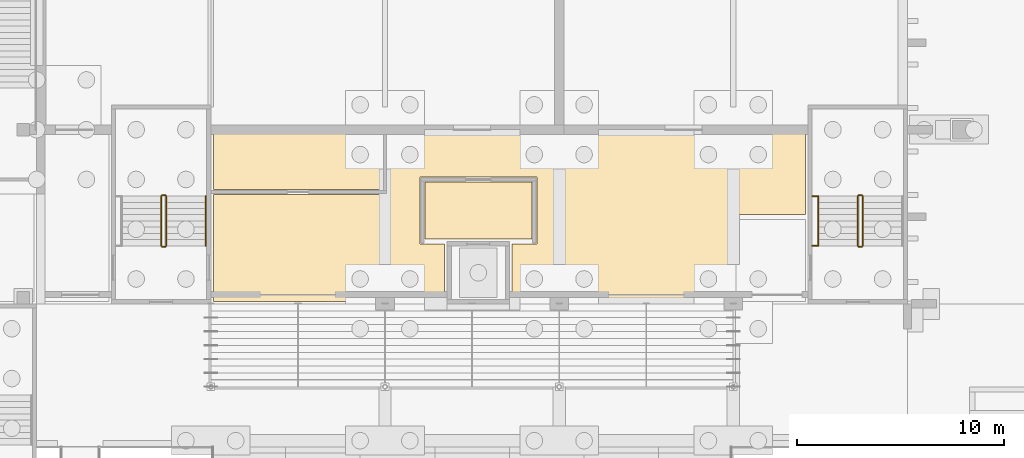
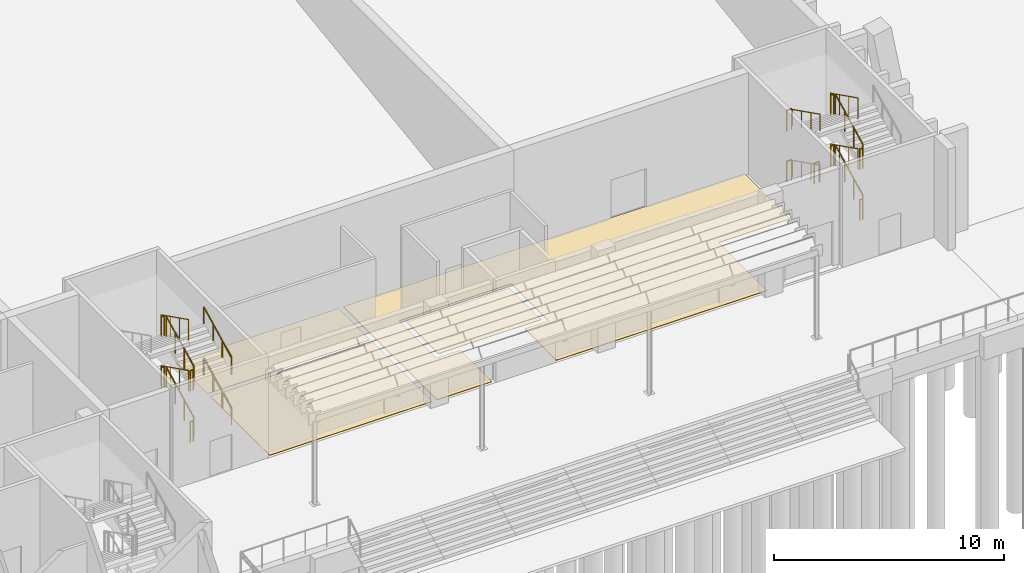
# One storey, part 112 of 129: 23 railings, 4 coverings.
"""IFC4 building model written with IfcOpenShell, lengths in metres."""

import ifcopenshell
import ifcopenshell.guid

model = None  # the IFC model being written
_history = None  # IfcOwnerHistory: only IFC2X3 demands one
_inside = {}  # id of a spatial element -> (the spatial element, [elements in it])
_under = {}  # id of a project, library or spatial element -> (it, [spatial elements below it])
_declared = {}  # id of a project -> (the project, [libraries it declares])
_typed = {}  # id of a type object -> (the type object, [elements of that type])
_made_of = {}  # id of a material, layer set ... -> (it, [elements and type objects made of it])


def new_model(schema):
    """Start an empty IFC model of exactly this schema.

    Asked for "IFC4X3", IfcOpenShell would pick the latest addendum, in which some entities
    have other attributes; the version numbers below select the first issue.
    IFC2X3 requires an IfcOwnerHistory on every rooted entity: one is made here for all.
    """
    global model, _history
    if schema == "IFC4X3":
        model = ifcopenshell.file(schema_version=(4, 3, 0, 0))
    else:
        model = ifcopenshell.file(schema=schema)
    _inside.clear()
    _under.clear()
    _declared.clear()
    _typed.clear()
    _made_of.clear()
    _history = None
    if model.schema == "IFC2X3":
        org = make("IfcOrganization", Name="unknown")
        user = make(
            "IfcPersonAndOrganization",
            ThePerson=make("IfcPerson", FamilyName="unknown"),
            TheOrganization=org,
        )
        app = make(
            "IfcApplication",
            ApplicationDeveloper=org,
            Version="unknown",
            ApplicationFullName="unknown",
            ApplicationIdentifier="unknown",
        )
        _history = make(
            "IfcOwnerHistory",
            OwningUser=user,
            OwningApplication=app,
            ChangeAction="ADDED",
            CreationDate=0,
        )
    return model


def make(cls, **values):
    """One entity of the class cls with the attributes given. An attribute that is None is left unset."""
    return model.create_entity(
        cls, **{name: value for name, value in values.items() if value is not None}
    )


def rooted(cls, **values):
    """An entity with a GlobalId (a new one), such as an element, a storey or a relation."""
    return make(cls, GlobalId=ifcopenshell.guid.new(), OwnerHistory=_history, **values)


def si_unit(unit_type, name, prefix=None):
    """IfcSIUnit, for example si_unit("LENGTHUNIT", "METRE", prefix="MILLI")."""
    return make("IfcSIUnit", UnitType=unit_type, Prefix=prefix, Name=name)


def assignment(units):
    """IfcUnitAssignment: the units of a project."""
    return None if units is None else make("IfcUnitAssignment", Units=units)


def point(xyz):
    """IfcCartesianPoint."""
    return None if xyz is None else make("IfcCartesianPoint", Coordinates=xyz)


def direction(xyz):
    """IfcDirection."""
    return None if xyz is None else make("IfcDirection", DirectionRatios=xyz)


def frame(location, z_axis=None, x_axis=None):
    """IfcAxis2Placement3D, a coordinate frame: its origin and axes. An axis left out is left unset."""
    return make(
        "IfcAxis2Placement3D",
        Location=point(location),
        Axis=direction(z_axis),
        RefDirection=direction(x_axis),
    )


def frame_2d(location, x_axis=None):
    """IfcAxis2Placement2D, a coordinate frame in the plane: its origin and x axis."""
    return make(
        "IfcAxis2Placement2D", Location=point(location), RefDirection=direction(x_axis)
    )


def origin():
    """The frame at (0, 0, 0) with its axes left unset."""
    return frame((0.0, 0.0, 0.0))


def origin_2d():
    """The frame at (0, 0) in the plane with its x axis left unset."""
    return frame_2d((0.0, 0.0))


def place(relative_to, where):
    """IfcLocalPlacement: puts the frame where relative to a parent placement (None: the world)."""
    return make(
        "IfcLocalPlacement", PlacementRelTo=relative_to, RelativePlacement=where
    )


def context(
    kind, dimensions, precision=None, world=None, true_north=None, identifier=None
):
    """IfcGeometricRepresentationContext, for example the 3D "Model" context."""
    return make(
        "IfcGeometricRepresentationContext",
        ContextIdentifier=identifier,
        ContextType=kind,
        CoordinateSpaceDimension=dimensions,
        Precision=precision,
        WorldCoordinateSystem=world,
        TrueNorth=true_north,
    )


def subcontext(parent, identifier, kind, view, scale=None):
    """IfcGeometricRepresentationSubContext, for example "Body" below "Model"."""
    return make(
        "IfcGeometricRepresentationSubContext",
        ContextIdentifier=identifier,
        ContextType=kind,
        ParentContext=parent,
        TargetScale=scale,
        TargetView=view,
    )


def project(units=None, contexts=None):
    """IfcProject with its units and contexts."""
    return rooted(
        "IfcProject",
        Name="project",
        RepresentationContexts=contexts,
        UnitsInContext=assignment(units),
    )


def spatial(cls, under=None, at=None, **own):
    """A site, building, storey or space (cls), placed at a placement, below another one or the project."""
    s = rooted(cls, ObjectPlacement=at, **own)
    if under is not None:
        _under.setdefault(under.id(), (under, []))[1].append(s)
    return s


def polyline(points):
    """IfcPolyline through the points."""
    return make("IfcPolyline", Points=[point(p) for p in points])


def profile(cls, at=None, kind="AREA", **sizes):
    """A parametric profile (cls). Its sizes go by their IFC names, for example OverallWidth=200.0."""
    return make(cls, ProfileType=kind, Position=at, **sizes)


def circle(**sizes):
    """IfcCircleProfileDef."""
    return profile("IfcCircleProfileDef", **sizes)


def outline(outer, holes=None, kind="AREA"):
    """IfcArbitraryClosedProfileDef: a profile drawn as a closed curve; with holes, ...WithVoids."""
    if holes is None:
        return make("IfcArbitraryClosedProfileDef", ProfileType=kind, OuterCurve=outer)
    return make(
        "IfcArbitraryProfileDefWithVoids",
        ProfileType=kind,
        OuterCurve=outer,
        InnerCurves=holes,
    )


def extrude(swept, where, along, depth):
    """IfcExtrudedAreaSolid: the profile swept, set in the frame where, extruded along a direction by depth."""
    return make(
        "IfcExtrudedAreaSolid",
        SweptArea=swept,
        Position=where,
        ExtrudedDirection=direction(along),
        Depth=depth,
    )


def shape(context_of_items, identifier, shape_type, items):
    """IfcShapeRepresentation: the items that make up one representation, for example the "Body"."""
    return make(
        "IfcShapeRepresentation",
        ContextOfItems=context_of_items,
        RepresentationIdentifier=identifier,
        RepresentationType=shape_type,
        Items=items,
    )


def material(Name=None, Category=None):
    """IfcMaterial."""
    return make("IfcMaterial", Name=Name, Category=Category)


def layer(
    of_material, thickness, ventilated=None, Name=None, Category=None, Priority=None
):
    """IfcMaterialLayer: one layer of a wall or slab, of a material (None: an air gap)."""
    return make(
        "IfcMaterialLayer",
        Material=of_material,
        LayerThickness=thickness,
        IsVentilated=ventilated,
        Name=Name,
        Category=Category,
        Priority=Priority,
    )


def layer_set(layers, Name=None):
    """IfcMaterialLayerSet."""
    return make("IfcMaterialLayerSet", MaterialLayers=layers, LayerSetName=Name)


def made_of(thing, what):
    """Note that an element or type object is made of a material, layer set ...; save() writes the relation."""
    if what is not None:
        _made_of.setdefault(what.id(), (what, []))[1].append(thing)
    return thing


def type_object(cls, material=None, **own):
    """A type object (cls), such as IfcWallType, which elements share."""
    return made_of(rooted(cls, **own), material)


def element(
    cls,
    number,
    at=None,
    inside=None,
    cuts=None,
    type_object=None,
    material=None,
    context=None,
    identifier="Body",
    shape_type=None,
    held_by="IfcProductDefinitionShape",
    body=None,
    shapes=None,
    **own,
):
    """One element of the class cls, such as IfcWall. Its Tag is "e" and its number.

    at: its placement. inside: the storey or other place that contains it. cuts: it is an
    opening in that element (IfcRelVoidsElement). A single representation is given by context,
    identifier, shape_type and body (its items); several are given by shapes. held_by: the class
    of the entity that holds the representations. save() writes the other relations.
    """
    e = rooted(cls, Tag="e%d" % number, ObjectPlacement=at, **own)
    if body is not None:
        shapes = [shape(context, identifier, shape_type, body)]
    if shapes is not None:
        e.Representation = make(held_by, Representations=shapes)
    if inside is not None:
        _inside.setdefault(inside.id(), (inside, []))[1].append(e)
    if cuts is not None:
        rooted(
            "IfcRelVoidsElement", RelatingBuildingElement=cuts, RelatedOpeningElement=e
        )
    if type_object is not None:
        _typed.setdefault(type_object.id(), (type_object, []))[1].append(e)
    return made_of(e, material)


def aggregate(whole, parts):
    """IfcRelAggregates: a whole, such as a stair, and the parts it consists of."""
    return rooted("IfcRelAggregates", RelatingObject=whole, RelatedObjects=parts)


def save(model, path):
    """Write the relations noted so far, then the file.

    IfcRelAggregates (storeys below a building ...), IfcRelContainedInSpatialStructure (elements
    in a storey), IfcRelDefinesByType, IfcRelAssociatesMaterial and IfcRelDeclares: one each for
    every whole, place, type object, material and project.
    """
    for whole, parts in _under.values():
        aggregate(whole, parts)
    for where, things in _inside.values():
        rooted(
            "IfcRelContainedInSpatialStructure",
            RelatedElements=things,
            RelatingStructure=where,
        )
    for kind, things in _typed.values():
        rooted("IfcRelDefinesByType", RelatedObjects=things, RelatingType=kind)
    for what, things in _made_of.values():
        rooted("IfcRelAssociatesMaterial", RelatedObjects=things, RelatingMaterial=what)
    for by, libraries in _declared.values():
        rooted("IfcRelDeclares", RelatingContext=by, RelatedDefinitions=libraries)
    model.write(path)


model = new_model("IFC4")

# Units and contexts
model_context = context("Model", 3, precision=1e-05, world=origin(), true_north=direction((0.0, 1.0)))
body_context = subcontext(model_context, "Body", "Model", "MODEL_VIEW")
ifc_project = project(units=[si_unit("LENGTHUNIT", "METRE"), si_unit("AREAUNIT", "SQUARE_METRE"), si_unit("VOLUMEUNIT", "CUBIC_METRE"), si_unit("PLANEANGLEUNIT", "RADIAN"), si_unit("MASSUNIT", "GRAM", prefix="KILO")], contexts=[model_context])

# Site, building, storey
site_placement = place(None, origin())
site = spatial("IfcSite", under=ifc_project, at=site_placement, CompositionType="ELEMENT")
building_placement = place(site_placement, origin())
building = spatial("IfcBuilding", under=site, at=building_placement, Name="Kiln Court Media Centre", CompositionType="ELEMENT")
storey_placement = place(building_placement, origin())
storey = spatial("IfcBuildingStorey", under=building, at=storey_placement, Name="L00", CompositionType="ELEMENT", Elevation=0.0)

# Coverings
ifc_material_1 = material(Name="Ceramic tile")
ifc_layer_1 = layer(ifc_material_1, 0.011962890625)
ifc_layer_set_1 = layer_set([ifc_layer_1], Name="Ceramic tile floor finish 12")
covering_type_1 = type_object("IfcCoveringType", Name="Ceramic tile floor finish 12", PredefinedType="FLOORING", material=ifc_layer_set_1)
covering_1_placement = place(storey_placement, origin())
element("IfcCovering", 1, at=covering_1_placement, inside=storey, type_object=covering_type_1, Name="Cinema Toilets floor finish", PredefinedType="FLOORING", context=body_context, shape_type="SweptSolid", body=[
    extrude(outline(polyline([(67.320068359375, 30.719970703125), (75.47998046875, 30.719970703125), (75.47998046875, 33.47998046875), (67.320068359375, 33.47998046875), (67.320068359375, 30.719970703125)])), origin(), (0.0, 0.0, 1.0), 0.011962890625),
])
ifc_material_2 = material(Name="Terrazzo")
ifc_layer_2 = layer(ifc_material_2, 0.02490234375)
ifc_layer_set_2 = layer_set([ifc_layer_2], Name="Polished terrazzo floor finish 25")
covering_type_2 = type_object("IfcCoveringType", Name="Polished terrazzo floor finish 25", PredefinedType="FLOORING", material=ifc_layer_set_2)
covering_2_placement = place(storey_placement, origin())
element("IfcCovering", 2, at=covering_2_placement, inside=storey, type_object=covering_type_2, Name="Cinema Foyer West floor finish", PredefinedType="FLOORING", context=body_context, shape_type="SweptSolid", body=[
    extrude(outline(polyline([(67.320068359375, 25.320068359375), (75.47998046875, 25.320068359375), (75.47998046875, 30.47998046875), (67.320068359375, 30.47998046875), (67.320068359375, 25.320068359375)])), origin(), (0.0, 0.0, 1.0), 0.02490234375),
])
covering_3_placement = place(storey_placement, origin())
element("IfcCovering", 3, at=covering_3_placement, inside=storey, type_object=covering_type_2, Name="Cinema Foyer floor finish", PredefinedType="FLOORING", context=body_context, shape_type="SweptSolid", body=[
    extrude(outline(polyline([(78.47998046875, 25.320068359375), (78.47998046875, 28.080078125), (77.280029296875, 28.080078125), (77.280029296875, 31.320068359375), (82.919921875, 31.320068359375), (82.919921875, 28.080078125), (81.719970703125, 28.080078125), (81.719970703125, 25.320068359375), (92.280029296875, 25.320068359375), (92.280029296875, 29.52001953125), (95.8798828125, 29.52001953125), (95.8798828125, 33.47998046875), (75.719970703125, 33.47998046875), (75.719970703125, 25.320068359375), (78.47998046875, 25.320068359375)])), origin(), (0.0, 0.0, 1.0), 0.02490234375),
])
covering_4_placement = place(storey_placement, origin())
element("IfcCovering", 4, at=covering_4_placement, inside=storey, type_object=covering_type_2, Name="Fire-fighting Lift Lobby floor finish", PredefinedType="FLOORING", context=body_context, shape_type="SweptSolid", body=[
    extrude(outline(polyline([(77.52001953125, 28.320068359375), (82.679931640625, 28.320068359375), (82.679931640625, 31.080078125), (77.52001953125, 31.080078125), (77.52001953125, 28.320068359375)])), origin(), (0.0, 0.0, 1.0), 0.02490234375),
])

# Railings
ifc_material_3 = material(Name="Steel S275", Category="steel")
railing_type_1 = type_object("IfcRailingType", Name="Steel S275 stair guard 1100", PredefinedType="GUARDRAIL", material=ifc_material_3)
railing_1_placement = place(storey_placement, frame((65.050048828125, 28.0, 0.14990234375)))
element("IfcRailing", 5, at=railing_1_placement, inside=storey, type_object=railing_type_1, Name="ST-09 stair guard", PredefinedType="GUARDRAIL", context=body_context, shape_type="SweptSolid", body=[
    extrude(circle(Radius=0.02392578125, at=origin_2d()), frame((0.0, 0.0, 1.076171875), z_axis=(0.0, 0.894390793703, 0.44728638269), x_axis=(-1.0, 0.0, 0.0)), (0.0, 0.0, 1.0), 2.683349609375),
    extrude(circle(Radius=0.02099609375, at=origin_2d()), origin(), (0.0, 0.0, 1.0), 1.052001953125),
    extrude(circle(Radius=0.02099609375, at=origin_2d()), frame((0.0, 0.800048828125, 0.400146484375)), (0.0, 0.0, 1.0), 1.052001953125),
    extrude(circle(Radius=0.02099609375, at=origin_2d()), frame((0.0, 1.599853515625, 0.800048828125)), (0.0, 0.0, 1.0), 1.052001953125),
    extrude(circle(Radius=0.02099609375, at=origin_2d()), frame((0.0, 2.39990234375, 1.2001953125)), (0.0, 0.0, 1.0), 1.052001953125),
])
railing_2_placement = place(storey_placement, frame((65.0, 30.449951171875, 1.35009765625)))
element("IfcRailing", 6, at=railing_2_placement, inside=storey, type_object=railing_type_1, Name="ST-09 stair guard", PredefinedType="GUARDRAIL", context=body_context, shape_type="SweptSolid", body=[
    extrude(circle(Radius=0.02392578125, at=origin_2d()), frame((0.0, 0.0, 1.076171875), z_axis=(-1.0, 0.0, 0.0), x_axis=(0.0, -1.0, 0.0)), (0.0, 0.0, 1.0), 0.14990234375),
    extrude(circle(Radius=0.02099609375, at=origin_2d()), origin(), (0.0, 0.0, 1.0), 1.052001953125),
    extrude(circle(Radius=0.02099609375, at=origin_2d()), frame((-0.14990234375, 0.0, 0.0)), (0.0, 0.0, 1.0), 1.052001953125),
])
railing_3_placement = place(storey_placement, frame((64.800048828125, 30.39990234375, 1.5)))
element("IfcRailing", 7, at=railing_3_placement, inside=storey, type_object=railing_type_1, Name="ST-09 stair guard", PredefinedType="GUARDRAIL", context=body_context, shape_type="SweptSolid", body=[
    extrude(circle(Radius=0.02392578125, at=origin_2d()), frame((0.0, 0.0, 1.076171875), z_axis=(0.0, -0.894427191, 0.4472135955), x_axis=(1.0, 0.0, 0.0)), (0.0, 0.0, 1.0), 2.68310546875),
    extrude(circle(Radius=0.02099609375, at=origin_2d()), origin(), (0.0, 0.0, 1.0), 1.052001953125),
    extrude(circle(Radius=0.02099609375, at=origin_2d()), frame((0.0, -0.800048828125, 0.39990234375)), (0.0, 0.0, 1.0), 1.052001953125),
    extrude(circle(Radius=0.02099609375, at=origin_2d()), frame((0.0, -1.599853515625, 0.800048828125)), (0.0, 0.0, 1.0), 1.052001953125),
    extrude(circle(Radius=0.02099609375, at=origin_2d()), frame((0.0, -2.39990234375, 1.199951171875)), (0.0, 0.0, 1.0), 1.052001953125),
])
railing_4_placement = place(storey_placement, frame((65.0, 27.949951171875, 2.699951171875)))
element("IfcRailing", 8, at=railing_4_placement, inside=storey, type_object=railing_type_1, Name="ST-09 stair guard", PredefinedType="GUARDRAIL", context=body_context, shape_type="SweptSolid", body=[
    extrude(circle(Radius=0.02392578125, at=origin_2d()), frame((0.0, 0.0, 1.076171875), z_axis=(-1.0, 0.0, 0.0), x_axis=(0.0, -1.0, 0.0)), (0.0, 0.0, 1.0), 0.14990234375),
    extrude(circle(Radius=0.02099609375, at=origin_2d()), origin(), (0.0, 0.0, 1.0), 1.052001953125),
    extrude(circle(Radius=0.02099609375, at=origin_2d()), frame((-0.14990234375, 0.0, 0.0)), (0.0, 0.0, 1.0), 1.052001953125),
])
railing_5_placement = place(storey_placement, frame((65.050048828125, 28.0, 2.85009765625)))
element("IfcRailing", 9, at=railing_5_placement, inside=storey, type_object=railing_type_1, Name="ST-09 stair guard", PredefinedType="GUARDRAIL", context=body_context, shape_type="SweptSolid", body=[
    extrude(circle(Radius=0.02392578125, at=origin_2d()), frame((0.0, 0.0, 1.076171875), z_axis=(0.0, 0.894427191, 0.4472135955), x_axis=(-1.0, 0.0, 0.0)), (0.0, 0.0, 1.0), 2.68310546875),
    extrude(circle(Radius=0.02099609375, at=origin_2d()), origin(), (0.0, 0.0, 1.0), 1.052001953125),
    extrude(circle(Radius=0.02099609375, at=origin_2d()), frame((0.0, 0.800048828125, 0.39990234375)), (0.0, 0.0, 1.0), 1.052001953125),
    extrude(circle(Radius=0.02099609375, at=origin_2d()), frame((0.0, 1.599853515625, 0.800048828125)), (0.0, 0.0, 1.0), 1.052001953125),
    extrude(circle(Radius=0.02099609375, at=origin_2d()), frame((0.0, 2.39990234375, 1.199951171875)), (0.0, 0.0, 1.0), 1.052001953125),
])
railing_6_placement = place(storey_placement, frame((65.0, 30.449951171875, 4.050048828125)))
element("IfcRailing", 10, at=railing_6_placement, inside=storey, type_object=railing_type_1, Name="ST-09 stair guard", PredefinedType="GUARDRAIL", context=body_context, shape_type="SweptSolid", body=[
    extrude(circle(Radius=0.02392578125, at=origin_2d()), frame((0.0, 0.0, 1.076171875), z_axis=(-1.0, 0.0, 0.0), x_axis=(0.0, -1.0, 0.0)), (0.0, 0.0, 1.0), 0.14990234375),
    extrude(circle(Radius=0.02099609375, at=origin_2d()), origin(), (0.0, 0.0, 1.0), 1.052001953125),
    extrude(circle(Radius=0.02099609375, at=origin_2d()), frame((-0.14990234375, 0.0, 0.0)), (0.0, 0.0, 1.0), 1.052001953125),
])
railing_7_placement = place(storey_placement, frame((64.800048828125, 30.39990234375, 4.199951171875)))
element("IfcRailing", 11, at=railing_7_placement, inside=storey, type_object=railing_type_1, Name="ST-09 stair guard", PredefinedType="GUARDRAIL", context=body_context, shape_type="SweptSolid", body=[
    extrude(circle(Radius=0.02392578125, at=origin_2d()), frame((0.0, 0.0, 1.076171875), z_axis=(0.0, -0.894427191, 0.4472135955), x_axis=(1.0, 0.0, 0.0)), (0.0, 0.0, 1.0), 2.68310546875),
    extrude(circle(Radius=0.02099609375, at=origin_2d()), origin(), (0.0, 0.0, 1.0), 1.052001953125),
    extrude(circle(Radius=0.02099609375, at=origin_2d()), frame((0.0, -0.800048828125, 0.39990234375)), (0.0, 0.0, 1.0), 1.052001953125),
    extrude(circle(Radius=0.02099609375, at=origin_2d()), frame((0.0, -1.599853515625, 0.800048828125)), (0.0, 0.0, 1.0), 1.052001953125),
    extrude(circle(Radius=0.02099609375, at=origin_2d()), frame((0.0, -2.39990234375, 1.199951171875)), (0.0, 0.0, 1.0), 1.052001953125),
])
railing_8_placement = place(storey_placement, frame((65.0, 27.949951171875, 0.0)))
element("IfcRailing", 12, at=railing_8_placement, inside=storey, type_object=railing_type_1, Name="ST-09 stair guard", PredefinedType="GUARDRAIL", context=body_context, shape_type="SweptSolid", body=[
    extrude(circle(Radius=0.02392578125, at=origin_2d()), frame((0.0, 0.0, 1.076171875), z_axis=(-1.0, 0.0, 0.0), x_axis=(0.0, -1.0, 0.0)), (0.0, 0.0, 1.0), 0.14990234375),
    extrude(circle(Radius=0.02099609375, at=origin_2d()), origin(), (0.0, 0.0, 1.0), 1.052001953125),
    extrude(circle(Radius=0.02099609375, at=origin_2d()), frame((-0.14990234375, 0.0, 0.0)), (0.0, 0.0, 1.0), 1.052001953125),
])
railing_9_placement = place(storey_placement, frame((98.64990234375, 28.0, 0.14990234375)))
element("IfcRailing", 13, at=railing_9_placement, inside=storey, type_object=railing_type_1, Name="ST-10 stair guard", PredefinedType="GUARDRAIL", context=body_context, shape_type="SweptSolid", body=[
    extrude(circle(Radius=0.02392578125, at=origin_2d()), frame((0.0, 0.0, 1.076171875), z_axis=(0.0, 0.894390793703, 0.44728638269), x_axis=(-1.0, 0.0, 0.0)), (0.0, 0.0, 1.0), 2.683349609375),
    extrude(circle(Radius=0.02099609375, at=origin_2d()), origin(), (0.0, 0.0, 1.0), 1.052001953125),
    extrude(circle(Radius=0.02099609375, at=origin_2d()), frame((0.0, 0.800048828125, 0.400146484375)), (0.0, 0.0, 1.0), 1.052001953125),
    extrude(circle(Radius=0.02099609375, at=origin_2d()), frame((0.0, 1.599853515625, 0.800048828125)), (0.0, 0.0, 1.0), 1.052001953125),
    extrude(circle(Radius=0.02099609375, at=origin_2d()), frame((0.0, 2.39990234375, 1.2001953125)), (0.0, 0.0, 1.0), 1.052001953125),
])
railing_10_placement = place(storey_placement, frame((98.60009765625, 30.449951171875, 1.35009765625)))
element("IfcRailing", 14, at=railing_10_placement, inside=storey, type_object=railing_type_1, Name="ST-10 stair guard", PredefinedType="GUARDRAIL", context=body_context, shape_type="SweptSolid", body=[
    extrude(circle(Radius=0.02392578125, at=origin_2d()), frame((0.0, 0.0, 1.076171875), z_axis=(-1.0, 0.0, 0.0), x_axis=(0.0, -1.0, 0.0)), (0.0, 0.0, 1.0), 0.150146484375),
    extrude(circle(Radius=0.02099609375, at=origin_2d()), origin(), (0.0, 0.0, 1.0), 1.052001953125),
    extrude(circle(Radius=0.02099609375, at=origin_2d()), frame((-0.150146484375, 0.0, 0.0)), (0.0, 0.0, 1.0), 1.052001953125),
])
railing_11_placement = place(storey_placement, frame((98.39990234375, 30.39990234375, 1.5)))
element("IfcRailing", 15, at=railing_11_placement, inside=storey, type_object=railing_type_1, Name="ST-10 stair guard", PredefinedType="GUARDRAIL", context=body_context, shape_type="SweptSolid", body=[
    extrude(circle(Radius=0.02392578125, at=origin_2d()), frame((0.0, 0.0, 1.076171875), z_axis=(0.0, -0.894427191, 0.4472135955), x_axis=(1.0, 0.0, 0.0)), (0.0, 0.0, 1.0), 2.68310546875),
    extrude(circle(Radius=0.02099609375, at=origin_2d()), origin(), (0.0, 0.0, 1.0), 1.052001953125),
    extrude(circle(Radius=0.02099609375, at=origin_2d()), frame((0.0, -0.800048828125, 0.39990234375)), (0.0, 0.0, 1.0), 1.052001953125),
    extrude(circle(Radius=0.02099609375, at=origin_2d()), frame((0.0, -1.599853515625, 0.800048828125)), (0.0, 0.0, 1.0), 1.052001953125),
    extrude(circle(Radius=0.02099609375, at=origin_2d()), frame((0.0, -2.39990234375, 1.199951171875)), (0.0, 0.0, 1.0), 1.052001953125),
])
railing_12_placement = place(storey_placement, frame((98.60009765625, 27.949951171875, 2.699951171875)))
element("IfcRailing", 16, at=railing_12_placement, inside=storey, type_object=railing_type_1, Name="ST-10 stair guard", PredefinedType="GUARDRAIL", context=body_context, shape_type="SweptSolid", body=[
    extrude(circle(Radius=0.02392578125, at=origin_2d()), frame((0.0, 0.0, 1.076171875), z_axis=(-1.0, 0.0, 0.0), x_axis=(0.0, -1.0, 0.0)), (0.0, 0.0, 1.0), 0.150146484375),
    extrude(circle(Radius=0.02099609375, at=origin_2d()), origin(), (0.0, 0.0, 1.0), 1.052001953125),
    extrude(circle(Radius=0.02099609375, at=origin_2d()), frame((-0.150146484375, 0.0, 0.0)), (0.0, 0.0, 1.0), 1.052001953125),
])
railing_13_placement = place(storey_placement, frame((98.64990234375, 28.0, 2.85009765625)))
element("IfcRailing", 17, at=railing_13_placement, inside=storey, type_object=railing_type_1, Name="ST-10 stair guard", PredefinedType="GUARDRAIL", context=body_context, shape_type="SweptSolid", body=[
    extrude(circle(Radius=0.02392578125, at=origin_2d()), frame((0.0, 0.0, 1.076171875), z_axis=(0.0, 0.894427191, 0.4472135955), x_axis=(-1.0, 0.0, 0.0)), (0.0, 0.0, 1.0), 2.68310546875),
    extrude(circle(Radius=0.02099609375, at=origin_2d()), origin(), (0.0, 0.0, 1.0), 1.052001953125),
    extrude(circle(Radius=0.02099609375, at=origin_2d()), frame((0.0, 0.800048828125, 0.39990234375)), (0.0, 0.0, 1.0), 1.052001953125),
    extrude(circle(Radius=0.02099609375, at=origin_2d()), frame((0.0, 1.599853515625, 0.800048828125)), (0.0, 0.0, 1.0), 1.052001953125),
    extrude(circle(Radius=0.02099609375, at=origin_2d()), frame((0.0, 2.39990234375, 1.199951171875)), (0.0, 0.0, 1.0), 1.052001953125),
])
railing_14_placement = place(storey_placement, frame((98.60009765625, 30.449951171875, 4.050048828125)))
element("IfcRailing", 18, at=railing_14_placement, inside=storey, type_object=railing_type_1, Name="ST-10 stair guard", PredefinedType="GUARDRAIL", context=body_context, shape_type="SweptSolid", body=[
    extrude(circle(Radius=0.02392578125, at=origin_2d()), frame((0.0, 0.0, 1.076171875), z_axis=(-1.0, 0.0, 0.0), x_axis=(0.0, -1.0, 0.0)), (0.0, 0.0, 1.0), 0.150146484375),
    extrude(circle(Radius=0.02099609375, at=origin_2d()), origin(), (0.0, 0.0, 1.0), 1.052001953125),
    extrude(circle(Radius=0.02099609375, at=origin_2d()), frame((-0.150146484375, 0.0, 0.0)), (0.0, 0.0, 1.0), 1.052001953125),
])
railing_15_placement = place(storey_placement, frame((98.39990234375, 30.39990234375, 4.199951171875)))
element("IfcRailing", 19, at=railing_15_placement, inside=storey, type_object=railing_type_1, Name="ST-10 stair guard", PredefinedType="GUARDRAIL", context=body_context, shape_type="SweptSolid", body=[
    extrude(circle(Radius=0.02392578125, at=origin_2d()), frame((0.0, 0.0, 1.076171875), z_axis=(0.0, -0.894427191, 0.4472135955), x_axis=(1.0, 0.0, 0.0)), (0.0, 0.0, 1.0), 2.68310546875),
    extrude(circle(Radius=0.02099609375, at=origin_2d()), origin(), (0.0, 0.0, 1.0), 1.052001953125),
    extrude(circle(Radius=0.02099609375, at=origin_2d()), frame((0.0, -0.800048828125, 0.39990234375)), (0.0, 0.0, 1.0), 1.052001953125),
    extrude(circle(Radius=0.02099609375, at=origin_2d()), frame((0.0, -1.599853515625, 0.800048828125)), (0.0, 0.0, 1.0), 1.052001953125),
    extrude(circle(Radius=0.02099609375, at=origin_2d()), frame((0.0, -2.39990234375, 1.199951171875)), (0.0, 0.0, 1.0), 1.052001953125),
])
railing_16_placement = place(storey_placement, frame((98.60009765625, 27.949951171875, 0.0)))
element("IfcRailing", 20, at=railing_16_placement, inside=storey, type_object=railing_type_1, Name="ST-10 stair guard", PredefinedType="GUARDRAIL", context=body_context, shape_type="SweptSolid", body=[
    extrude(circle(Radius=0.02392578125, at=origin_2d()), frame((0.0, 0.0, 1.076171875), z_axis=(-1.0, 0.0, 0.0), x_axis=(0.0, -1.0, 0.0)), (0.0, 0.0, 1.0), 0.150146484375),
    extrude(circle(Radius=0.02099609375, at=origin_2d()), origin(), (0.0, 0.0, 1.0), 1.052001953125),
    extrude(circle(Radius=0.02099609375, at=origin_2d()), frame((-0.150146484375, 0.0, 0.0)), (0.0, 0.0, 1.0), 1.052001953125),
])
for number, where, name in (
    (21, (96.449951171875, 30.39990234375, 1.35009765625), "ST-10 landing edge guard"),
    (22, (96.449951171875, 28.0, 2.699951171875), "ST-10 landing edge guard"),
    (23, (96.449951171875, 30.39990234375, 4.050048828125), "ST-10 landing edge guard"),
):
    element("IfcRailing", number, at=place(storey_placement, frame(where)), inside=storey, type_object=railing_type_1, Name=name, PredefinedType="GUARDRAIL", context=body_context, shape_type="SweptSolid", body=[
        extrude(circle(Radius=0.02392578125, at=origin_2d()), frame((0.0, 0.0, 1.076171875), z_axis=(-1.0, 0.0, 0.0), x_axis=(0.0, -1.0, 0.0)), (0.0, 0.0, 1.0), 0.25),
        extrude(circle(Radius=0.02099609375, at=origin_2d()), origin(), (0.0, 0.0, 1.0), 1.052001953125),
        extrude(circle(Radius=0.02099609375, at=origin_2d()), frame((-0.25, 0.0, 0.0)), (0.0, 0.0, 1.0), 1.052001953125),
    ])
ifc_material_4 = material(Name="Steel S275", Category="steel")
railing_type_2 = type_object("IfcRailingType", Name="Steel S275 stair handrail 900", PredefinedType="HANDRAIL", material=ifc_material_4)
railing_17_placement = place(storey_placement, frame((66.949951171875, 28.0, 0.14990234375)))
element("IfcRailing", 24, at=railing_17_placement, inside=storey, type_object=railing_type_2, Name="ST-09 stair handrail", PredefinedType="HANDRAIL", context=body_context, shape_type="SweptSolid", body=[
    extrude(circle(Radius=0.02392578125, at=origin_2d()), frame((0.0, 0.0, 0.8759765625), z_axis=(0.0, 0.894390793703, 0.44728638269), x_axis=(-1.0, 0.0, 0.0)), (0.0, 0.0, 1.0), 2.683349609375),
    extrude(circle(Radius=0.02099609375, at=origin_2d()), origin(), (0.0, 0.0, 1.0), 0.851806640625),
    extrude(circle(Radius=0.02099609375, at=origin_2d()), frame((0.0, 0.800048828125, 0.400146484375)), (0.0, 0.0, 1.0), 0.851806640625),
    extrude(circle(Radius=0.02099609375, at=origin_2d()), frame((0.0, 1.599853515625, 0.800048828125)), (0.0, 0.0, 1.0), 0.851806640625),
    extrude(circle(Radius=0.02099609375, at=origin_2d()), frame((0.0, 2.39990234375, 1.2001953125)), (0.0, 0.0, 1.0), 0.851806640625),
])
railing_18_placement = place(storey_placement, frame((66.949951171875, 28.0, 2.85009765625)))
element("IfcRailing", 25, at=railing_18_placement, inside=storey, type_object=railing_type_2, Name="ST-09 stair handrail", PredefinedType="HANDRAIL", context=body_context, shape_type="SweptSolid", body=[
    extrude(circle(Radius=0.02392578125, at=origin_2d()), frame((0.0, 0.0, 0.8759765625), z_axis=(0.0, 0.894427191, 0.4472135955), x_axis=(-1.0, 0.0, 0.0)), (0.0, 0.0, 1.0), 2.68310546875),
    extrude(circle(Radius=0.02099609375, at=origin_2d()), origin(), (0.0, 0.0, 1.0), 0.851806640625),
    extrude(circle(Radius=0.02099609375, at=origin_2d()), frame((0.0, 0.800048828125, 0.39990234375)), (0.0, 0.0, 1.0), 0.851806640625),
    extrude(circle(Radius=0.02099609375, at=origin_2d()), frame((0.0, 1.599853515625, 0.800048828125)), (0.0, 0.0, 1.0), 0.851806640625),
    extrude(circle(Radius=0.02099609375, at=origin_2d()), frame((0.0, 2.39990234375, 1.199951171875)), (0.0, 0.0, 1.0), 0.851806640625),
])
for number, where, name in (
    (26, (96.5, 30.39990234375, 1.5), "ST-10 stair handrail"),
    (27, (96.5, 30.39990234375, 4.199951171875), "ST-10 stair handrail"),
):
    element("IfcRailing", number, at=place(storey_placement, frame(where)), inside=storey, type_object=railing_type_2, Name=name, PredefinedType="HANDRAIL", context=body_context, shape_type="SweptSolid", body=[
        extrude(circle(Radius=0.02392578125, at=origin_2d()), frame((0.0, 0.0, 0.8759765625), z_axis=(0.0, -0.894427191, 0.4472135955), x_axis=(1.0, 0.0, 0.0)), (0.0, 0.0, 1.0), 2.68310546875),
        extrude(circle(Radius=0.02099609375, at=origin_2d()), origin(), (0.0, 0.0, 1.0), 0.851806640625),
        extrude(circle(Radius=0.02099609375, at=origin_2d()), frame((0.0, -0.800048828125, 0.39990234375)), (0.0, 0.0, 1.0), 0.851806640625),
        extrude(circle(Radius=0.02099609375, at=origin_2d()), frame((0.0, -1.599853515625, 0.800048828125)), (0.0, 0.0, 1.0), 0.851806640625),
        extrude(circle(Radius=0.02099609375, at=origin_2d()), frame((0.0, -2.39990234375, 1.199951171875)), (0.0, 0.0, 1.0), 0.851806640625),
    ])

save(model, "model.ifc")
